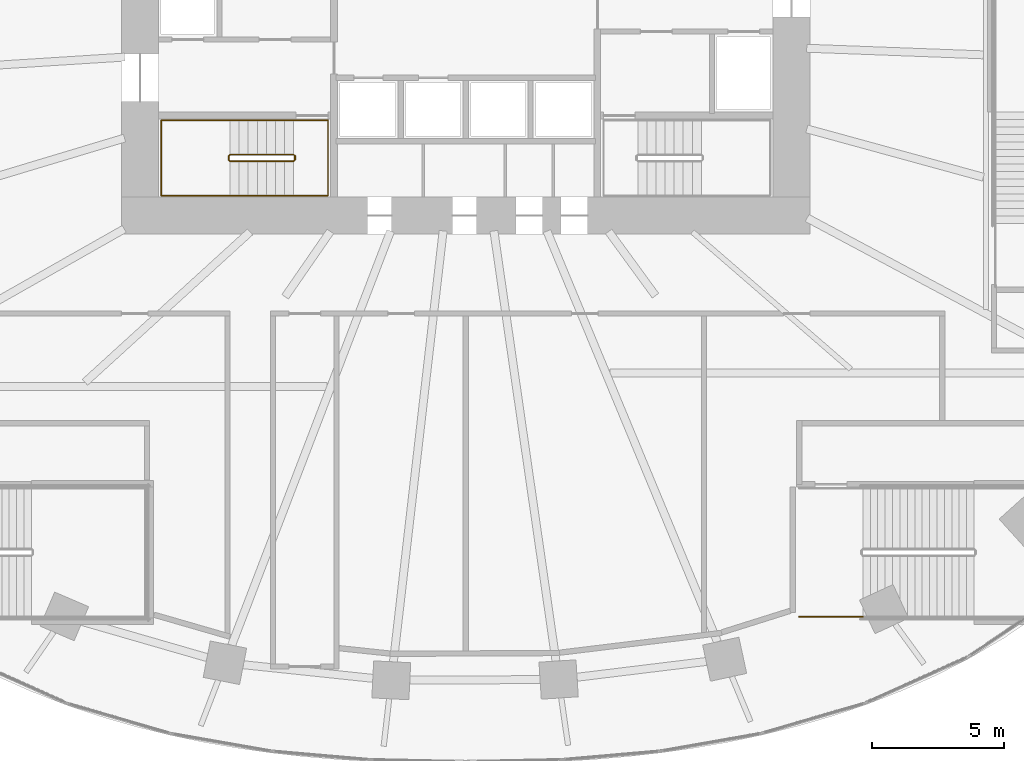
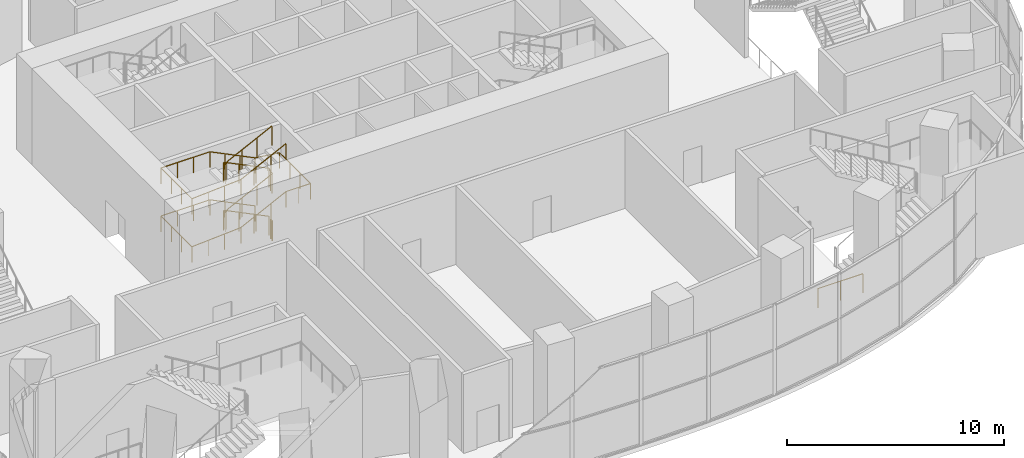
# One storey, part 17 of 20: 4 railings.
"""IFC4 building model written with IfcOpenShell, lengths in metres."""

from ifc_helpers import new_model, si_unit, direction, frame, origin, origin_2d, place, context, subcontext, project, spatial, circle, extrude, material, type_object, element, save


model = new_model("IFC4")

# Units and contexts
model_context = context("Model", 3, precision=1e-05, world=origin(), true_north=direction((0.0, 1.0)))
body_context = subcontext(model_context, "Body", "Model", "MODEL_VIEW")
ifc_project = project(units=[si_unit("LENGTHUNIT", "METRE"), si_unit("AREAUNIT", "SQUARE_METRE"), si_unit("VOLUMEUNIT", "CUBIC_METRE"), si_unit("PLANEANGLEUNIT", "RADIAN"), si_unit("MASSUNIT", "GRAM", prefix="KILO")], contexts=[model_context])

# Site, building, storey
site_placement = place(None, origin())
site = spatial("IfcSite", under=ifc_project, at=site_placement, CompositionType="ELEMENT")
building_placement = place(site_placement, origin())
building = spatial("IfcBuilding", under=site, at=building_placement, Name="Rubra Terraces Tower", CompositionType="ELEMENT")
storey_placement = place(building_placement, frame((0.0, 0.0, 22.800048828125)))
storey = spatial("IfcBuildingStorey", under=building, at=storey_placement, Name="L03", CompositionType="ELEMENT", Elevation=22.800048828125)

# Railings
ifc_material = material(Name="Stainless steel", Category="steel")
railing_type_1 = type_object("IfcRailingType", Name="Core stair guard 1100", PredefinedType="GUARDRAIL", material=ifc_material)
railing_1_placement = place(storey_placement, frame((-6.5, 0.0, 0.168701171875)))
element("IfcRailing", 1, at=railing_1_placement, inside=storey, type_object=railing_type_1, Name="L03 stair S1 guard 1", PredefinedType="GUARDRAIL", context=body_context, shape_type="SweptSolid", body=[
    extrude(circle(Radius=0.02392578125, at=origin_2d()), frame((0.0, 0.0, 1.076171875), z_axis=(-0.897220749972, 0.0, 0.441582297901), x_axis=(0.0, -1.0, 0.0)), (0.0, 0.0, 1.0), 2.6748046875),
    extrude(circle(Radius=0.02392578125, at=origin_2d()), frame((-2.39990234375, 0.0, 2.25732421875), z_axis=(-0.707106781187, -0.707106781187, 0.0), x_axis=(0.707106781187, -0.707106781187, 0.0)), (0.0, 0.0, 1.0), 0.07080078125),
    extrude(circle(Radius=0.02392578125, at=origin_2d()), frame((-2.449951171875, -0.050048828125, 2.25732421875), z_axis=(0.0, -1.0, 0.0), x_axis=(1.0, 0.0, 0.0)), (0.0, 0.0, 1.0), 0.14990234375),
    extrude(circle(Radius=0.02392578125, at=origin_2d()), frame((-2.449951171875, -0.199951171875, 2.25732421875), z_axis=(0.273232802156, -0.273232802156, 0.922327312645), x_axis=(0.707106781187, 0.707106781187, 0.0)), (0.0, 0.0, 1.0), 0.18310546875),
    extrude(circle(Radius=0.02392578125, at=origin_2d()), frame((-2.39990234375, -0.25, 2.42626953125), z_axis=(0.897220749972, 0.0, 0.441582297901), x_axis=(0.0, 1.0, 0.0)), (0.0, 0.0, 1.0), 2.6748046875),
    extrude(circle(Radius=0.02392578125, at=origin_2d()), frame((0.0, -0.25, 3.607421875), z_axis=(0.707106781187, 0.707106781187, 0.0), x_axis=(-0.707106781187, 0.707106781187, 0.0)), (0.0, 0.0, 1.0), 0.07080078125),
    extrude(circle(Radius=0.02392578125, at=origin_2d()), frame((0.050048828125, -0.199951171875, 3.607421875), z_axis=(0.0, 1.0, 0.0), x_axis=(-1.0, 0.0, 0.0)), (0.0, 0.0, 1.0), 0.14990234375),
    extrude(circle(Radius=0.02392578125, at=origin_2d()), frame((0.050048828125, -0.050048828125, 3.607421875), z_axis=(-0.273569069059, 0.273569069059, 0.922127935218), x_axis=(-0.707106781187, -0.707106781187, 0.0)), (0.0, 0.0, 1.0), 0.182861328125),
    extrude(circle(Radius=0.02392578125, at=origin_2d()), frame((0.0, 0.0, 3.77587890625), z_axis=(-0.897184586062, 0.0, 0.441655769273), x_axis=(0.0, -1.0, 0.0)), (0.0, 0.0, 1.0), 2.6748046875),
    extrude(circle(Radius=0.02392578125, at=origin_2d()), frame((-2.39990234375, 0.0, 4.95751953125), z_axis=(-0.707106781187, -0.707106781187, 0.0), x_axis=(0.707106781187, -0.707106781187, 0.0)), (0.0, 0.0, 1.0), 0.07080078125),
    extrude(circle(Radius=0.02392578125, at=origin_2d()), frame((-2.449951171875, -0.050048828125, 4.95751953125), z_axis=(0.0, -1.0, 0.0), x_axis=(1.0, 0.0, 0.0)), (0.0, 0.0, 1.0), 0.14990234375),
    extrude(circle(Radius=0.02392578125, at=origin_2d()), frame((-2.449951171875, -0.199951171875, 4.95751953125), z_axis=(0.273569069059, -0.273569069059, 0.922127935218), x_axis=(0.707106781187, 0.707106781187, 0.0)), (0.0, 0.0, 1.0), 0.182861328125),
    extrude(circle(Radius=0.02392578125, at=origin_2d()), frame((-2.39990234375, -0.25, 5.1259765625), z_axis=(0.897220749972, 0.0, 0.441582297901), x_axis=(0.0, 1.0, 0.0)), (0.0, 0.0, 1.0), 2.6748046875),
    extrude(circle(Radius=0.02099609375, at=origin_2d()), origin(), (0.0, 0.0, 1.0), 1.052001953125),
    extrude(circle(Radius=0.02099609375, at=origin_2d()), frame((-0.800048828125, 0.0, 0.393798828125)), (0.0, 0.0, 1.0), 1.052001953125),
    extrude(circle(Radius=0.02099609375, at=origin_2d()), frame((-1.599853515625, 0.0, 0.787353515625)), (0.0, 0.0, 1.0), 1.052001953125),
    extrude(circle(Radius=0.02099609375, at=origin_2d()), frame((-2.39990234375, 0.0, 1.18115234375)), (0.0, 0.0, 1.0), 1.052001953125),
    extrude(circle(Radius=0.02099609375, at=origin_2d()), frame((-2.449951171875, -0.050048828125, 1.18115234375)), (0.0, 0.0, 1.0), 1.052001953125),
    extrude(circle(Radius=0.02099609375, at=origin_2d()), frame((-2.449951171875, -0.199951171875, 1.18115234375)), (0.0, 0.0, 1.0), 1.052001953125),
    extrude(circle(Radius=0.02099609375, at=origin_2d()), frame((-2.39990234375, -0.25, 1.35009765625)), (0.0, 0.0, 1.0), 1.052001953125),
    extrude(circle(Radius=0.02099609375, at=origin_2d()), frame((-1.599853515625, -0.25, 1.743896484375)), (0.0, 0.0, 1.0), 1.052001953125),
    extrude(circle(Radius=0.02099609375, at=origin_2d()), frame((-0.800048828125, -0.25, 2.137451171875)), (0.0, 0.0, 1.0), 1.052001953125),
    extrude(circle(Radius=0.02099609375, at=origin_2d()), frame((0.0, -0.25, 2.53125)), (0.0, 0.0, 1.0), 1.052001953125),
    extrude(circle(Radius=0.02099609375, at=origin_2d()), frame((0.050048828125, -0.199951171875, 2.53125)), (0.0, 0.0, 1.0), 1.052001953125),
    extrude(circle(Radius=0.02099609375, at=origin_2d()), frame((0.050048828125, -0.050048828125, 2.53125)), (0.0, 0.0, 1.0), 1.052001953125),
    extrude(circle(Radius=0.02099609375, at=origin_2d()), frame((0.0, 0.0, 2.699951171875)), (0.0, 0.0, 1.0), 1.052001953125),
    extrude(circle(Radius=0.02099609375, at=origin_2d()), frame((-0.800048828125, 0.0, 3.09375)), (0.0, 0.0, 1.0), 1.052001953125),
    extrude(circle(Radius=0.02099609375, at=origin_2d()), frame((-1.599853515625, 0.0, 3.487548828125)), (0.0, 0.0, 1.0), 1.052001953125),
    extrude(circle(Radius=0.02099609375, at=origin_2d()), frame((-2.39990234375, 0.0, 3.88134765625)), (0.0, 0.0, 1.0), 1.052001953125),
    extrude(circle(Radius=0.02099609375, at=origin_2d()), frame((-2.449951171875, -0.050048828125, 3.88134765625)), (0.0, 0.0, 1.0), 1.052001953125),
    extrude(circle(Radius=0.02099609375, at=origin_2d()), frame((-2.449951171875, -0.199951171875, 3.88134765625)), (0.0, 0.0, 1.0), 1.052001953125),
    extrude(circle(Radius=0.02099609375, at=origin_2d()), frame((-2.39990234375, -0.25, 4.050048828125)), (0.0, 0.0, 1.0), 1.052001953125),
    extrude(circle(Radius=0.02099609375, at=origin_2d()), frame((-1.599853515625, -0.25, 4.44384765625)), (0.0, 0.0, 1.0), 1.052001953125),
    extrude(circle(Radius=0.02099609375, at=origin_2d()), frame((-0.800048828125, -0.25, 4.83740234375)), (0.0, 0.0, 1.0), 1.052001953125),
    extrude(circle(Radius=0.02099609375, at=origin_2d()), frame((0.0, -0.25, 5.231201171875)), (0.0, 0.0, 1.0), 1.052001953125),
])
railing_2_placement = place(storey_placement, frame((-6.449951171875, -0.050048828125, 0.0)))
element("IfcRailing", 2, at=railing_2_placement, inside=storey, type_object=railing_type_1, Name="L03 stair S1 guard 2", PredefinedType="GUARDRAIL", context=body_context, shape_type="SweptSolid", body=[
    extrude(circle(Radius=0.02392578125, at=origin_2d()), frame((0.0, 0.0, 1.076171875), z_axis=(0.0, -1.0, 0.0), x_axis=(1.0, 0.0, 0.0)), (0.0, 0.0, 1.0), 0.14990234375),
    extrude(circle(Radius=0.02099609375, at=origin_2d()), origin(), (0.0, 0.0, 1.0), 1.052001953125),
    extrude(circle(Radius=0.02099609375, at=origin_2d()), frame((0.0, -0.14990234375, 0.0)), (0.0, 0.0, 1.0), 1.052001953125),
])
railing_type_2 = type_object("IfcRailingType", Name="Core stair handrail 900", PredefinedType="HANDRAIL", material=ifc_material)
railing_3_placement = place(storey_placement, frame((-6.5, 1.300048828125, 0.168701171875)))
element("IfcRailing", 3, at=railing_3_placement, inside=storey, type_object=railing_type_2, Name="L03 stair S1 handrail 1", PredefinedType="HANDRAIL", context=body_context, shape_type="SweptSolid", body=[
    extrude(circle(Radius=0.02392578125, at=origin_2d()), frame((0.0, 0.0, 0.8759765625), z_axis=(-0.897220749972, 0.0, 0.441582297901), x_axis=(0.0, -1.0, 0.0)), (0.0, 0.0, 1.0), 2.6748046875),
    extrude(circle(Radius=0.02392578125, at=origin_2d()), frame((-2.39990234375, 0.0, 2.05712890625), z_axis=(-1.0, 0.0, 0.0), x_axis=(0.0, -1.0, 0.0)), (0.0, 0.0, 1.0), 2.60009765625),
    extrude(circle(Radius=0.02392578125, at=origin_2d()), frame((-5.0, 0.0, 2.05712890625), z_axis=(0.0, -1.0, 0.0), x_axis=(1.0, 0.0, 0.0)), (0.0, 0.0, 1.0), 2.85009765625),
    extrude(circle(Radius=0.02392578125, at=origin_2d()), frame((-5.0, -2.85009765625, 2.05712890625), z_axis=(0.997895686435, 0.0, 0.064839794837), x_axis=(0.0, 1.0, 0.0)), (0.0, 0.0, 1.0), 2.60546875),
    extrude(circle(Radius=0.02392578125, at=origin_2d()), frame((-2.39990234375, -2.85009765625, 2.22607421875), z_axis=(0.897220749972, 0.0, 0.441582297901), x_axis=(0.0, 1.0, 0.0)), (0.0, 0.0, 1.0), 2.6748046875),
    extrude(circle(Radius=0.02392578125, at=origin_2d()), frame((0.0, -2.85009765625, 3.4072265625), z_axis=(1.0, 0.0, 0.0), x_axis=(0.0, 1.0, 0.0)), (0.0, 0.0, 1.0), 1.300048828125),
    extrude(circle(Radius=0.02392578125, at=origin_2d()), frame((1.300048828125, -2.85009765625, 3.4072265625), z_axis=(0.0, 1.0, 0.0), x_axis=(-1.0, 0.0, 0.0)), (0.0, 0.0, 1.0), 2.85009765625),
    extrude(circle(Radius=0.02392578125, at=origin_2d()), frame((1.300048828125, 0.0, 3.4072265625), z_axis=(-0.991685350679, 0.0, 0.1286863056), x_axis=(0.0, -1.0, 0.0)), (0.0, 0.0, 1.0), 1.31103515625),
    extrude(circle(Radius=0.02392578125, at=origin_2d()), frame((0.0, 0.0, 3.57568359375), z_axis=(-0.897184586062, 0.0, 0.441655769273), x_axis=(0.0, -1.0, 0.0)), (0.0, 0.0, 1.0), 2.6748046875),
    extrude(circle(Radius=0.02392578125, at=origin_2d()), frame((-2.39990234375, 0.0, 4.75732421875), z_axis=(-1.0, 0.0, 0.0), x_axis=(0.0, -1.0, 0.0)), (0.0, 0.0, 1.0), 2.60009765625),
    extrude(circle(Radius=0.02392578125, at=origin_2d()), frame((-5.0, 0.0, 4.75732421875), z_axis=(0.0, -1.0, 0.0), x_axis=(1.0, 0.0, 0.0)), (0.0, 0.0, 1.0), 2.85009765625),
    extrude(circle(Radius=0.02392578125, at=origin_2d()), frame((-5.0, -2.85009765625, 4.75732421875), z_axis=(0.997901744757, 0.0, 0.064746488791), x_axis=(0.0, 1.0, 0.0)), (0.0, 0.0, 1.0), 2.60546875),
    extrude(circle(Radius=0.02392578125, at=origin_2d()), frame((-2.39990234375, -2.85009765625, 4.92578125), z_axis=(0.897220749972, 0.0, 0.441582297901), x_axis=(0.0, 1.0, 0.0)), (0.0, 0.0, 1.0), 2.6748046875),
    extrude(circle(Radius=0.02099609375, at=origin_2d()), origin(), (0.0, 0.0, 1.0), 0.851806640625),
    extrude(circle(Radius=0.02099609375, at=origin_2d()), frame((-0.800048828125, 0.0, 0.393798828125)), (0.0, 0.0, 1.0), 0.851806640625),
    extrude(circle(Radius=0.02099609375, at=origin_2d()), frame((-1.599853515625, 0.0, 0.787353515625)), (0.0, 0.0, 1.0), 0.851806640625),
    extrude(circle(Radius=0.02099609375, at=origin_2d()), frame((-2.39990234375, 0.0, 1.18115234375)), (0.0, 0.0, 1.0), 0.851806640625),
    extrude(circle(Radius=0.02099609375, at=origin_2d()), frame((-3.2666015625, 0.0, 1.18115234375)), (0.0, 0.0, 1.0), 0.851806640625),
    extrude(circle(Radius=0.02099609375, at=origin_2d()), frame((-4.13330078125, 0.0, 1.18115234375)), (0.0, 0.0, 1.0), 0.851806640625),
    extrude(circle(Radius=0.02099609375, at=origin_2d()), frame((-5.0, 0.0, 1.18115234375)), (0.0, 0.0, 1.0), 0.851806640625),
    extrude(circle(Radius=0.02099609375, at=origin_2d()), frame((-5.0, -0.949951171875, 1.18115234375)), (0.0, 0.0, 1.0), 0.851806640625),
    extrude(circle(Radius=0.02099609375, at=origin_2d()), frame((-5.0, -1.900146484375, 1.18115234375)), (0.0, 0.0, 1.0), 0.851806640625),
    extrude(circle(Radius=0.02099609375, at=origin_2d()), frame((-5.0, -2.85009765625, 1.18115234375)), (0.0, 0.0, 1.0), 0.851806640625),
    extrude(circle(Radius=0.02099609375, at=origin_2d()), frame((-4.13330078125, -2.85009765625, 1.237548828125)), (0.0, 0.0, 1.0), 0.851806640625),
    extrude(circle(Radius=0.02099609375, at=origin_2d()), frame((-3.2666015625, -2.85009765625, 1.293701171875)), (0.0, 0.0, 1.0), 0.851806640625),
    extrude(circle(Radius=0.02099609375, at=origin_2d()), frame((-2.39990234375, -2.85009765625, 1.35009765625)), (0.0, 0.0, 1.0), 0.851806640625),
    extrude(circle(Radius=0.02099609375, at=origin_2d()), frame((-1.599853515625, -2.85009765625, 1.743896484375)), (0.0, 0.0, 1.0), 0.851806640625),
    extrude(circle(Radius=0.02099609375, at=origin_2d()), frame((-0.800048828125, -2.85009765625, 2.137451171875)), (0.0, 0.0, 1.0), 0.851806640625),
    extrude(circle(Radius=0.02099609375, at=origin_2d()), frame((0.0, -2.85009765625, 2.53125)), (0.0, 0.0, 1.0), 0.851806640625),
    extrude(circle(Radius=0.02099609375, at=origin_2d()), frame((0.64990234375, -2.85009765625, 2.53125)), (0.0, 0.0, 1.0), 0.851806640625),
    extrude(circle(Radius=0.02099609375, at=origin_2d()), frame((1.300048828125, -2.85009765625, 2.53125)), (0.0, 0.0, 1.0), 0.851806640625),
    extrude(circle(Radius=0.02099609375, at=origin_2d()), frame((1.300048828125, -1.900146484375, 2.53125)), (0.0, 0.0, 1.0), 0.851806640625),
    extrude(circle(Radius=0.02099609375, at=origin_2d()), frame((1.300048828125, -0.949951171875, 2.53125)), (0.0, 0.0, 1.0), 0.851806640625),
    extrude(circle(Radius=0.02099609375, at=origin_2d()), frame((1.300048828125, 0.0, 2.53125)), (0.0, 0.0, 1.0), 0.851806640625),
    extrude(circle(Radius=0.02099609375, at=origin_2d()), frame((0.64990234375, 0.0, 2.61572265625)), (0.0, 0.0, 1.0), 0.851806640625),
    extrude(circle(Radius=0.02099609375, at=origin_2d()), frame((0.0, 0.0, 2.699951171875)), (0.0, 0.0, 1.0), 0.851806640625),
    extrude(circle(Radius=0.02099609375, at=origin_2d()), frame((-0.800048828125, 0.0, 3.09375)), (0.0, 0.0, 1.0), 0.851806640625),
    extrude(circle(Radius=0.02099609375, at=origin_2d()), frame((-1.599853515625, 0.0, 3.487548828125)), (0.0, 0.0, 1.0), 0.851806640625),
    extrude(circle(Radius=0.02099609375, at=origin_2d()), frame((-2.39990234375, 0.0, 3.88134765625)), (0.0, 0.0, 1.0), 0.851806640625),
    extrude(circle(Radius=0.02099609375, at=origin_2d()), frame((-3.2666015625, 0.0, 3.88134765625)), (0.0, 0.0, 1.0), 0.851806640625),
    extrude(circle(Radius=0.02099609375, at=origin_2d()), frame((-4.13330078125, 0.0, 3.88134765625)), (0.0, 0.0, 1.0), 0.851806640625),
    extrude(circle(Radius=0.02099609375, at=origin_2d()), frame((-5.0, 0.0, 3.88134765625)), (0.0, 0.0, 1.0), 0.851806640625),
    extrude(circle(Radius=0.02099609375, at=origin_2d()), frame((-5.0, -0.949951171875, 3.88134765625)), (0.0, 0.0, 1.0), 0.851806640625),
    extrude(circle(Radius=0.02099609375, at=origin_2d()), frame((-5.0, -1.900146484375, 3.88134765625)), (0.0, 0.0, 1.0), 0.851806640625),
    extrude(circle(Radius=0.02099609375, at=origin_2d()), frame((-5.0, -2.85009765625, 3.88134765625)), (0.0, 0.0, 1.0), 0.851806640625),
    extrude(circle(Radius=0.02099609375, at=origin_2d()), frame((-4.13330078125, -2.85009765625, 3.9375)), (0.0, 0.0, 1.0), 0.851806640625),
    extrude(circle(Radius=0.02099609375, at=origin_2d()), frame((-3.2666015625, -2.85009765625, 3.993896484375)), (0.0, 0.0, 1.0), 0.851806640625),
    extrude(circle(Radius=0.02099609375, at=origin_2d()), frame((-2.39990234375, -2.85009765625, 4.050048828125)), (0.0, 0.0, 1.0), 0.851806640625),
    extrude(circle(Radius=0.02099609375, at=origin_2d()), frame((-1.599853515625, -2.85009765625, 4.44384765625)), (0.0, 0.0, 1.0), 0.851806640625),
    extrude(circle(Radius=0.02099609375, at=origin_2d()), frame((-0.800048828125, -2.85009765625, 4.83740234375)), (0.0, 0.0, 1.0), 0.851806640625),
    extrude(circle(Radius=0.02099609375, at=origin_2d()), frame((0.0, -2.85009765625, 5.231201171875)), (0.0, 0.0, 1.0), 0.851806640625),
])
railing_type_3 = type_object("IfcRailingType", Name="Public stair guard 1100", PredefinedType="GUARDRAIL", material=ifc_material)
railing_4_placement = place(storey_placement, frame((12.60009765625, -17.449951171875, 0.0)))
element("IfcRailing", 4, at=railing_4_placement, inside=storey, type_object=railing_type_3, Name="L03 PS4 stair guard 8", PredefinedType="GUARDRAIL", context=body_context, shape_type="SweptSolid", body=[
    extrude(circle(Radius=0.02392578125, at=origin_2d()), frame((0.0, 0.0, 1.076171875), z_axis=(1.0, 0.0, 0.0), x_axis=(0.0, 1.0, 0.0)), (0.0, 0.0, 1.0), 2.39990234375),
    extrude(circle(Radius=0.02099609375, at=origin_2d()), origin(), (0.0, 0.0, 1.0), 1.052001953125),
    extrude(circle(Radius=0.02099609375, at=origin_2d()), frame((1.199951171875, 0.0, 0.0)), (0.0, 0.0, 1.0), 1.052001953125),
    extrude(circle(Radius=0.02099609375, at=origin_2d()), frame((2.39990234375, 0.0, 0.0)), (0.0, 0.0, 1.0), 1.052001953125),
])

save(model, "model.ifc")
